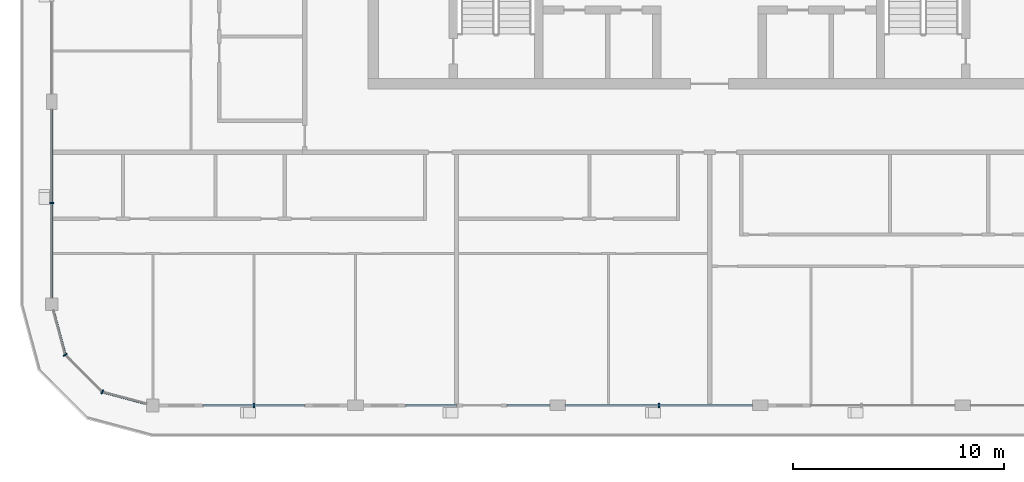
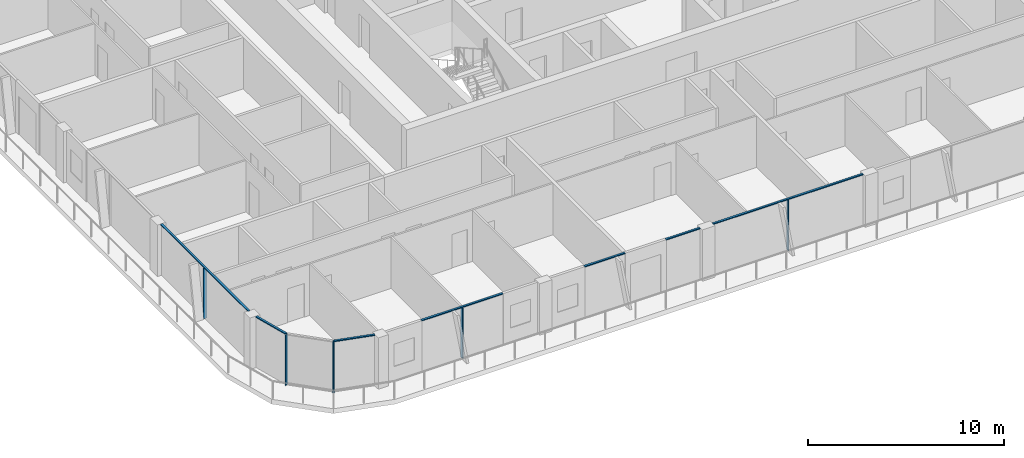
# One storey, part 2 of 21: 12 members, 5 elements without a shape of their own.
"""IFC4 building model written with IfcOpenShell, lengths in metres."""

from ifc_helpers import new_model, si_unit, direction, frame, origin, origin_2d, place, context, subcontext, project, spatial, rectangle, extrude, material, layer, layer_set, material_profile, profile_set, type_object, element, aggregate, save


model = new_model("IFC4")

# Units and contexts
model_context = context("Model", 3, precision=1e-05, world=origin(), true_north=direction((0.0, 1.0)))
body_context = subcontext(model_context, "Body", "Model", "MODEL_VIEW")
ifc_project = project(units=[si_unit("LENGTHUNIT", "METRE"), si_unit("AREAUNIT", "SQUARE_METRE"), si_unit("VOLUMEUNIT", "CUBIC_METRE"), si_unit("PLANEANGLEUNIT", "RADIAN"), si_unit("MASSUNIT", "GRAM", prefix="KILO")], contexts=[model_context])

# Site, building, storey
site_placement = place(None, origin())
site = spatial("IfcSite", under=ifc_project, at=site_placement, CompositionType="ELEMENT")
building_placement = place(site_placement, origin())
building = spatial("IfcBuilding", under=site, at=building_placement, Name="Madar Terraces", CompositionType="ELEMENT")
storey_placement = place(building_placement, frame((0.0, 0.0, 272.10009765625)))
storey = spatial("IfcBuildingStorey", under=building, at=storey_placement, Name="L71", CompositionType="ELEMENT", Elevation=272.10009765625)

# Curtain wall, member
ifc_material_1 = material(Name="Glass, ceramic frit dark grey, with black aluminium frame", Category="aluminium")
ifc_layer = layer(ifc_material_1, 0.199951171875)
ifc_layer_set = layer_set([ifc_layer], Name="Facade curtain wall, fritted glass")
curtain_wall_type = type_object("IfcCurtainWallType", Name="Facade curtain wall, fritted glass", PredefinedType="NOTDEFINED", material=ifc_layer_set)
curtain_wall_1_placement = place(storey_placement, origin())
curtain_wall_1 = element("IfcCurtainWall", 1, at=curtain_wall_1_placement, inside=storey, type_object=curtain_wall_type, Name="Outer skin curtain wall south bay 1", PredefinedType="NOTDEFINED")
ifc_material_2 = material(Name="Aluminium, black anodised", Category="aluminium")
ifc_material_profile_1 = material_profile(ifc_material_2, rectangle(XDim=0.199951171875, YDim=0.06005859375, at=origin_2d()), Name="Facade mullion 60x200")
ifc_profile_set_1 = profile_set([ifc_material_profile_1], Name="Aluminium, black anodised")
member_type_1 = type_object("IfcMemberType", Name="Facade mullion 60x200", PredefinedType="MULLION", material=ifc_profile_set_1)
member_1_placement = place(storey_placement, frame((9.60009765625, 0.0, 0.0), z_axis=(0.0, 0.0, 1.0), x_axis=(0.0, 1.0, 0.0)))
member_1 = element("IfcMember", 2, at=member_1_placement, type_object=member_type_1, Name="Mullion 1", PredefinedType="MULLION", context=body_context, shape_type="SweptSolid", body=[
    extrude(rectangle(XDim=0.199951171875, YDim=0.06005859375, at=origin_2d()), origin(), (0.0, 0.0, 1.0), 3.139892578125),
])

curtain_wall_2_placement = place(storey_placement, origin())
curtain_wall_2 = element("IfcCurtainWall", 3, at=curtain_wall_2_placement, inside=storey, type_object=curtain_wall_type, Name="Outer skin curtain wall south bay 3", PredefinedType="NOTDEFINED")
member_2_placement = place(storey_placement, frame((28.800048828125, 0.0, 0.0), z_axis=(0.0, 0.0, 1.0), x_axis=(0.0, 1.0, 0.0)))
member_2 = element("IfcMember", 4, at=member_2_placement, type_object=member_type_1, Name="Mullion 1", PredefinedType="MULLION", context=body_context, shape_type="SweptSolid", body=[
    extrude(rectangle(XDim=0.199951171875, YDim=0.06005859375, at=origin_2d()), origin(), (0.0, 0.0, 1.0), 3.139892578125),
])

curtain_wall_3_placement = place(storey_placement, origin())
curtain_wall_3 = element("IfcCurtainWall", 5, at=curtain_wall_3_placement, inside=storey, type_object=curtain_wall_type, Name="Outer skin curtain wall west bay 4", PredefinedType="NOTDEFINED")
member_3_placement = place(storey_placement, frame((0.0, 9.60009765625, 0.0), z_axis=(0.0, 0.0, 1.0), x_axis=(1.0, 0.0, 0.0)))
member_3 = element("IfcMember", 6, at=member_3_placement, type_object=member_type_1, Name="Mullion 1", PredefinedType="MULLION", context=body_context, shape_type="SweptSolid", body=[
    extrude(rectangle(XDim=0.199951171875, YDim=0.06005859375, at=origin_2d()), origin(), (0.0, 0.0, 1.0), 3.139892578125),
])

# Curtain wall, members
curtain_wall_4_placement = place(storey_placement, origin())
curtain_wall_4 = element("IfcCurtainWall", 7, at=curtain_wall_4_placement, inside=storey, type_object=curtain_wall_type, Name="Outer skin curtain wall south-west corner", PredefinedType="NOTDEFINED")
member_4_placement = place(storey_placement, frame((0.64306640625, 2.39990234375, 0.0), z_axis=(0.0, 0.0, 1.0), x_axis=(0.866025409797, 0.499999989586, 0.0)))
member_4 = element("IfcMember", 8, at=member_4_placement, type_object=member_type_1, Name="Mullion 1", PredefinedType="MULLION", context=body_context, shape_type="SweptSolid", body=[
    extrude(rectangle(XDim=0.199951171875, YDim=0.06005859375, at=origin_2d()), origin(), (0.0, 0.0, 1.0), 3.139892578125),
])
member_5_placement = place(storey_placement, frame((2.39990234375, 0.64306640625, 0.0), z_axis=(0.0, 0.0, 1.0), x_axis=(0.499999989586, 0.866025409797, 0.0)))
member_5 = element("IfcMember", 9, at=member_5_placement, type_object=member_type_1, Name="Mullion 2", PredefinedType="MULLION", context=body_context, shape_type="SweptSolid", body=[
    extrude(rectangle(XDim=0.199951171875, YDim=0.06005859375, at=origin_2d()), origin(), (0.0, 0.0, 1.0), 3.139892578125),
])

# Member
ifc_material_3 = material(Name="Aluminium, black anodised", Category="aluminium")
ifc_material_profile_2 = material_profile(ifc_material_3, rectangle(XDim=0.1201171875, YDim=0.06005859375, at=origin_2d()), Name="Facade transom 60x120")
ifc_profile_set_2 = profile_set([ifc_material_profile_2], Name="Aluminium, black anodised")
member_type_2 = type_object("IfcMemberType", Name="Facade transom 60x120", PredefinedType="USERDEFINED", material=ifc_profile_set_2)
member_6_placement = place(storey_placement, frame((7.199951171875, 0.0, 3.169921875), z_axis=(1.0, 0.0, 0.0), x_axis=(0.0, 1.0, 0.0)))
member_6 = element("IfcMember", 10, at=member_6_placement, type_object=member_type_2, Name="Transom 1", ObjectType="TRANSOM", PredefinedType="USERDEFINED", context=body_context, shape_type="SweptSolid", body=[
    extrude(rectangle(XDim=0.1201171875, YDim=0.06005859375, at=origin_2d()), origin(), (0.0, 0.0, 1.0), 4.800048828125),
])

aggregate(curtain_wall_1, [member_1, member_6])

# Curtain wall, members
curtain_wall_5_placement = place(storey_placement, origin())
curtain_wall_5 = element("IfcCurtainWall", 11, at=curtain_wall_5_placement, inside=storey, type_object=curtain_wall_type, Name="Outer skin curtain wall south bay 2", PredefinedType="NOTDEFINED")
member_7_placement = place(storey_placement, frame((16.800048828125, 0.0, 3.169921875), z_axis=(1.0, 0.0, 0.0), x_axis=(0.0, 1.0, 0.0)))
member_7 = element("IfcMember", 12, at=member_7_placement, type_object=member_type_2, Name="Transom 1", ObjectType="TRANSOM", PredefinedType="USERDEFINED", context=body_context, shape_type="SweptSolid", body=[
    extrude(rectangle(XDim=0.1201171875, YDim=0.06005859375, at=origin_2d()), origin(), (0.0, 0.0, 1.0), 2.39990234375),
])
member_8_placement = place(storey_placement, frame((21.60009765625, 0.0, 3.169921875), z_axis=(1.0, 0.0, 0.0), x_axis=(0.0, 1.0, 0.0)))
member_8 = element("IfcMember", 13, at=member_8_placement, type_object=member_type_2, Name="Transom 2", ObjectType="TRANSOM", PredefinedType="USERDEFINED", context=body_context, shape_type="SweptSolid", body=[
    extrude(rectangle(XDim=0.1201171875, YDim=0.06005859375, at=origin_2d()), origin(), (0.0, 0.0, 1.0), 2.02490234375),
])
aggregate(curtain_wall_5, [member_7, member_8])

# Member
member_9_placement = place(storey_placement, frame((24.375, 0.0, 3.169921875), z_axis=(1.0, 0.0, 0.0), x_axis=(0.0, 1.0, 0.0)))
member_9 = element("IfcMember", 14, at=member_9_placement, type_object=member_type_2, Name="Transom 1", ObjectType="TRANSOM", PredefinedType="USERDEFINED", context=body_context, shape_type="SweptSolid", body=[
    extrude(rectangle(XDim=0.1201171875, YDim=0.06005859375, at=origin_2d()), origin(), (0.0, 0.0, 1.0), 8.85009765625),
])

aggregate(curtain_wall_2, [member_2, member_9])

member_10_placement = place(storey_placement, frame((0.0, 14.02490234375, 3.169921875), z_axis=(0.0, -1.0, 0.0), x_axis=(1.0, 0.0, 0.0)))
member_10 = element("IfcMember", 15, at=member_10_placement, type_object=member_type_2, Name="Transom 1", ObjectType="TRANSOM", PredefinedType="USERDEFINED", context=body_context, shape_type="SweptSolid", body=[
    extrude(rectangle(XDim=0.1201171875, YDim=0.06005859375, at=origin_2d()), origin(), (0.0, 0.0, 1.0), 8.9248046875),
])

aggregate(curtain_wall_3, [member_3, member_10])

member_11_placement = place(storey_placement, frame((0.080322265625, 4.5, 3.169921875), z_axis=(0.258817664066, -0.965926196336, 0.0), x_axis=(0.965926196336, 0.258817664066, 0.0)))
member_11 = element("IfcMember", 16, at=member_11_placement, type_object=member_type_2, Name="Transom 1", ObjectType="TRANSOM", PredefinedType="USERDEFINED", context=body_context, shape_type="SweptSolid", body=[
    extrude(rectangle(XDim=0.1201171875, YDim=0.06005859375, at=origin_2d()), origin(), (0.0, 0.0, 1.0), 2.14404296875),
])

member_12_placement = place(storey_placement, frame((2.428955078125, 0.63525390625, 3.169921875), z_axis=(0.965926196336, -0.258817664066, 0.0), x_axis=(0.258817664066, 0.965926196336, 0.0)))
member_12 = element("IfcMember", 17, at=member_12_placement, type_object=member_type_2, Name="Transom 3", ObjectType="TRANSOM", PredefinedType="USERDEFINED", context=body_context, shape_type="SweptSolid", body=[
    extrude(rectangle(XDim=0.1201171875, YDim=0.06005859375, at=origin_2d()), origin(), (0.0, 0.0, 1.0), 2.14404296875),
])

aggregate(curtain_wall_4, [member_4, member_11, member_5, member_12])

save(model, "model.ifc")
